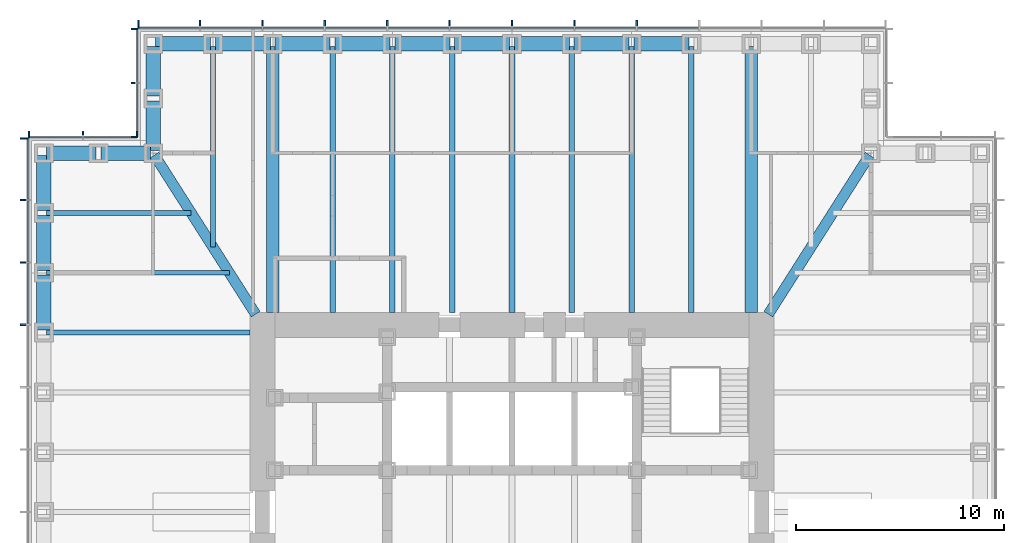
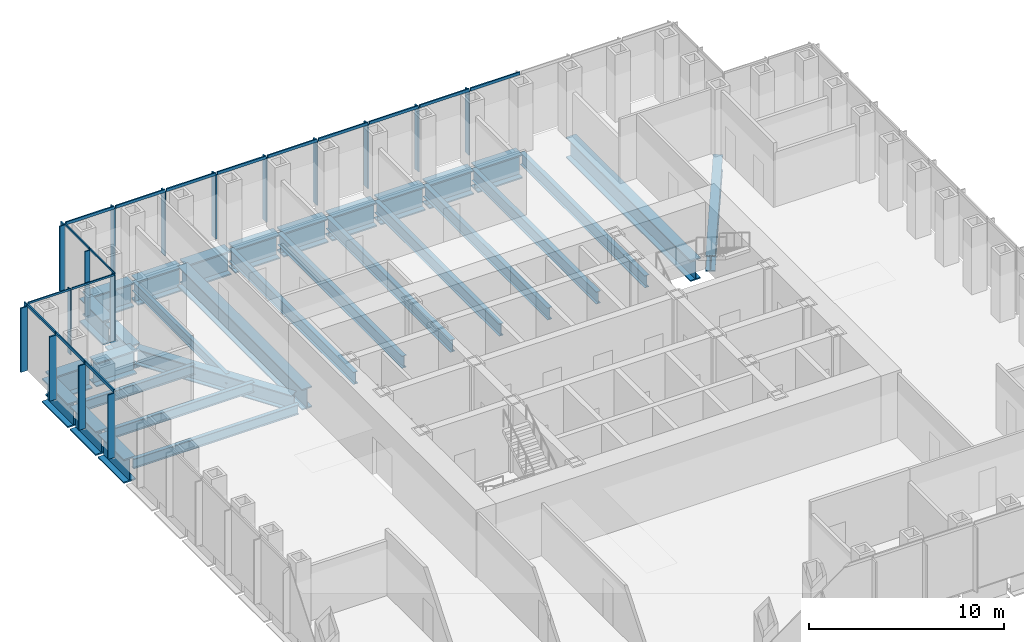
# One storey, part 5 of 17: 35 members, 31 beams, 4 elements without a shape of their own.
"""IFC4 building model written with IfcOpenShell, lengths in metres."""

import ifcopenshell
import ifcopenshell.guid

model = None  # the IFC model being written
_history = None  # IfcOwnerHistory: only IFC2X3 demands one
_inside = {}  # id of a spatial element -> (the spatial element, [elements in it])
_under = {}  # id of a project, library or spatial element -> (it, [spatial elements below it])
_declared = {}  # id of a project -> (the project, [libraries it declares])
_typed = {}  # id of a type object -> (the type object, [elements of that type])
_made_of = {}  # id of a material, layer set ... -> (it, [elements and type objects made of it])


def new_model(schema):
    """Start an empty IFC model of exactly this schema.

    Asked for "IFC4X3", IfcOpenShell would pick the latest addendum, in which some entities
    have other attributes; the version numbers below select the first issue.
    IFC2X3 requires an IfcOwnerHistory on every rooted entity: one is made here for all.
    """
    global model, _history
    if schema == "IFC4X3":
        model = ifcopenshell.file(schema_version=(4, 3, 0, 0))
    else:
        model = ifcopenshell.file(schema=schema)
    _inside.clear()
    _under.clear()
    _declared.clear()
    _typed.clear()
    _made_of.clear()
    _history = None
    if model.schema == "IFC2X3":
        org = make("IfcOrganization", Name="unknown")
        user = make(
            "IfcPersonAndOrganization",
            ThePerson=make("IfcPerson", FamilyName="unknown"),
            TheOrganization=org,
        )
        app = make(
            "IfcApplication",
            ApplicationDeveloper=org,
            Version="unknown",
            ApplicationFullName="unknown",
            ApplicationIdentifier="unknown",
        )
        _history = make(
            "IfcOwnerHistory",
            OwningUser=user,
            OwningApplication=app,
            ChangeAction="ADDED",
            CreationDate=0,
        )
    return model


def make(cls, **values):
    """One entity of the class cls with the attributes given. An attribute that is None is left unset."""
    return model.create_entity(
        cls, **{name: value for name, value in values.items() if value is not None}
    )


def rooted(cls, **values):
    """An entity with a GlobalId (a new one), such as an element, a storey or a relation."""
    return make(cls, GlobalId=ifcopenshell.guid.new(), OwnerHistory=_history, **values)


def si_unit(unit_type, name, prefix=None):
    """IfcSIUnit, for example si_unit("LENGTHUNIT", "METRE", prefix="MILLI")."""
    return make("IfcSIUnit", UnitType=unit_type, Prefix=prefix, Name=name)


def assignment(units):
    """IfcUnitAssignment: the units of a project."""
    return None if units is None else make("IfcUnitAssignment", Units=units)


def point(xyz):
    """IfcCartesianPoint."""
    return None if xyz is None else make("IfcCartesianPoint", Coordinates=xyz)


def direction(xyz):
    """IfcDirection."""
    return None if xyz is None else make("IfcDirection", DirectionRatios=xyz)


def frame(location, z_axis=None, x_axis=None):
    """IfcAxis2Placement3D, a coordinate frame: its origin and axes. An axis left out is left unset."""
    return make(
        "IfcAxis2Placement3D",
        Location=point(location),
        Axis=direction(z_axis),
        RefDirection=direction(x_axis),
    )


def frame_2d(location, x_axis=None):
    """IfcAxis2Placement2D, a coordinate frame in the plane: its origin and x axis."""
    return make(
        "IfcAxis2Placement2D", Location=point(location), RefDirection=direction(x_axis)
    )


def origin():
    """The frame at (0, 0, 0) with its axes left unset."""
    return frame((0.0, 0.0, 0.0))


def origin_2d():
    """The frame at (0, 0) in the plane with its x axis left unset."""
    return frame_2d((0.0, 0.0))


def place(relative_to, where):
    """IfcLocalPlacement: puts the frame where relative to a parent placement (None: the world)."""
    return make(
        "IfcLocalPlacement", PlacementRelTo=relative_to, RelativePlacement=where
    )


def context(
    kind, dimensions, precision=None, world=None, true_north=None, identifier=None
):
    """IfcGeometricRepresentationContext, for example the 3D "Model" context."""
    return make(
        "IfcGeometricRepresentationContext",
        ContextIdentifier=identifier,
        ContextType=kind,
        CoordinateSpaceDimension=dimensions,
        Precision=precision,
        WorldCoordinateSystem=world,
        TrueNorth=true_north,
    )


def subcontext(parent, identifier, kind, view, scale=None):
    """IfcGeometricRepresentationSubContext, for example "Body" below "Model"."""
    return make(
        "IfcGeometricRepresentationSubContext",
        ContextIdentifier=identifier,
        ContextType=kind,
        ParentContext=parent,
        TargetScale=scale,
        TargetView=view,
    )


def project(units=None, contexts=None):
    """IfcProject with its units and contexts."""
    return rooted(
        "IfcProject",
        Name="project",
        RepresentationContexts=contexts,
        UnitsInContext=assignment(units),
    )


def spatial(cls, under=None, at=None, **own):
    """A site, building, storey or space (cls), placed at a placement, below another one or the project."""
    s = rooted(cls, ObjectPlacement=at, **own)
    if under is not None:
        _under.setdefault(under.id(), (under, []))[1].append(s)
    return s


def profile(cls, at=None, kind="AREA", **sizes):
    """A parametric profile (cls). Its sizes go by their IFC names, for example OverallWidth=200.0."""
    return make(cls, ProfileType=kind, Position=at, **sizes)


def rectangle(**sizes):
    """IfcRectangleProfileDef."""
    return profile("IfcRectangleProfileDef", **sizes)


def i_section(**sizes):
    """IfcIShapeProfileDef."""
    return profile("IfcIShapeProfileDef", **sizes)


def extrude(swept, where, along, depth):
    """IfcExtrudedAreaSolid: the profile swept, set in the frame where, extruded along a direction by depth."""
    return make(
        "IfcExtrudedAreaSolid",
        SweptArea=swept,
        Position=where,
        ExtrudedDirection=direction(along),
        Depth=depth,
    )


def shape(context_of_items, identifier, shape_type, items):
    """IfcShapeRepresentation: the items that make up one representation, for example the "Body"."""
    return make(
        "IfcShapeRepresentation",
        ContextOfItems=context_of_items,
        RepresentationIdentifier=identifier,
        RepresentationType=shape_type,
        Items=items,
    )


def material(Name=None, Category=None):
    """IfcMaterial."""
    return make("IfcMaterial", Name=Name, Category=Category)


def material_profile(
    of_material, cross_section, Name=None, Category=None, Priority=None
):
    """IfcMaterialProfile: a cross section and its material."""
    return make(
        "IfcMaterialProfile",
        Name=Name,
        Material=of_material,
        Profile=cross_section,
        Priority=Priority,
        Category=Category,
    )


def profile_set(profiles, Name=None, composite=None):
    """IfcMaterialProfileSet."""
    return make(
        "IfcMaterialProfileSet",
        Name=Name,
        MaterialProfiles=profiles,
        CompositeProfile=composite,
    )


def made_of(thing, what):
    """Note that an element or type object is made of a material, layer set ...; save() writes the relation."""
    if what is not None:
        _made_of.setdefault(what.id(), (what, []))[1].append(thing)
    return thing


def type_object(cls, material=None, **own):
    """A type object (cls), such as IfcWallType, which elements share."""
    return made_of(rooted(cls, **own), material)


def element(
    cls,
    number,
    at=None,
    inside=None,
    cuts=None,
    type_object=None,
    material=None,
    context=None,
    identifier="Body",
    shape_type=None,
    held_by="IfcProductDefinitionShape",
    body=None,
    shapes=None,
    **own,
):
    """One element of the class cls, such as IfcWall. Its Tag is "e" and its number.

    at: its placement. inside: the storey or other place that contains it. cuts: it is an
    opening in that element (IfcRelVoidsElement). A single representation is given by context,
    identifier, shape_type and body (its items); several are given by shapes. held_by: the class
    of the entity that holds the representations. save() writes the other relations.
    """
    e = rooted(cls, Tag="e%d" % number, ObjectPlacement=at, **own)
    if body is not None:
        shapes = [shape(context, identifier, shape_type, body)]
    if shapes is not None:
        e.Representation = make(held_by, Representations=shapes)
    if inside is not None:
        _inside.setdefault(inside.id(), (inside, []))[1].append(e)
    if cuts is not None:
        rooted(
            "IfcRelVoidsElement", RelatingBuildingElement=cuts, RelatedOpeningElement=e
        )
    if type_object is not None:
        _typed.setdefault(type_object.id(), (type_object, []))[1].append(e)
    return made_of(e, material)


def aggregate(whole, parts):
    """IfcRelAggregates: a whole, such as a stair, and the parts it consists of."""
    return rooted("IfcRelAggregates", RelatingObject=whole, RelatedObjects=parts)


def save(model, path):
    """Write the relations noted so far, then the file.

    IfcRelAggregates (storeys below a building ...), IfcRelContainedInSpatialStructure (elements
    in a storey), IfcRelDefinesByType, IfcRelAssociatesMaterial and IfcRelDeclares: one each for
    every whole, place, type object, material and project.
    """
    for whole, parts in _under.values():
        aggregate(whole, parts)
    for where, things in _inside.values():
        rooted(
            "IfcRelContainedInSpatialStructure",
            RelatedElements=things,
            RelatingStructure=where,
        )
    for kind, things in _typed.values():
        rooted("IfcRelDefinesByType", RelatedObjects=things, RelatingType=kind)
    for what, things in _made_of.values():
        rooted("IfcRelAssociatesMaterial", RelatedObjects=things, RelatingMaterial=what)
    for by, libraries in _declared.values():
        rooted("IfcRelDeclares", RelatingContext=by, RelatedDefinitions=libraries)
    model.write(path)


model = new_model("IFC4")

# Units and contexts
model_context = context("Model", 3, precision=1e-05, world=origin(), true_north=direction((0.0, 1.0)))
body_context = subcontext(model_context, "Body", "Model", "MODEL_VIEW")
ifc_project = project(units=[si_unit("LENGTHUNIT", "METRE"), si_unit("AREAUNIT", "SQUARE_METRE"), si_unit("VOLUMEUNIT", "CUBIC_METRE"), si_unit("PLANEANGLEUNIT", "RADIAN"), si_unit("MASSUNIT", "GRAM", prefix="KILO")], contexts=[model_context])

# Site, building, storey
site_placement = place(None, origin())
site = spatial("IfcSite", under=ifc_project, at=site_placement, CompositionType="ELEMENT")
building_placement = place(site_placement, origin())
building = spatial("IfcBuilding", under=site, at=building_placement, Name="Daluyong Arena Tower", CompositionType="ELEMENT")
storey_placement = place(building_placement, frame((0.0, 0.0, 129.10009765625)))
storey = spatial("IfcBuildingStorey", under=building, at=storey_placement, Name="L28", CompositionType="ELEMENT", Elevation=129.10009765625)

# Curtain wall, members
ifc_material_1 = material(Name="Bronze anodised aluminium and glass", Category="aluminium")
curtain_wall_type_1 = type_object("IfcCurtainWallType", Name="Curtain wall CW2", PredefinedType="USERDEFINED", material=ifc_material_1)
curtain_wall_1_placement = place(storey_placement, origin())
curtain_wall_1 = element("IfcCurtainWall", 1, at=curtain_wall_1_placement, inside=storey, type_object=curtain_wall_type_1, Name="curtain wall L28 N", ObjectType="UNITISED CURTAIN WALL", PredefinedType="USERDEFINED")
ifc_material_2 = material(Name="Bronze anodised aluminium fin", Category="aluminium")
ifc_material_profile_1 = material_profile(ifc_material_2, rectangle(XDim=0.39990234375, YDim=0.080078125, at=origin_2d()))
ifc_profile_set_1 = profile_set([ifc_material_profile_1], Name="Bronze anodised aluminium fin")
member_type_1 = type_object("IfcMemberType", Name="CW2 bronze fin 400x80", PredefinedType="MULLION", material=ifc_profile_set_1)
member_1_placement = place(storey_placement, frame((62.0, 103.449951171875, 0.0), z_axis=(0.0, 0.0, 1.0), x_axis=(0.0, -1.0, 0.0)))
member_1 = element("IfcMember", 2, at=member_1_placement, type_object=member_type_1, Name="curtain wall L28 N fin 5", PredefinedType="MULLION", context=body_context, shape_type="SweptSolid", body=[
    extrude(rectangle(XDim=0.39990234375, YDim=0.080078125, at=origin_2d()), origin(), (0.0, 0.0, 1.0), 4.02001953125),
])
member_2_placement = place(storey_placement, frame((59.0, 103.449951171875, 0.0), z_axis=(0.0, 0.0, 1.0), x_axis=(0.0, -1.0, 0.0)))
member_2 = element("IfcMember", 3, at=member_2_placement, type_object=member_type_1, Name="curtain wall L28 N fin 6", PredefinedType="MULLION", context=body_context, shape_type="SweptSolid", body=[
    extrude(rectangle(XDim=0.39990234375, YDim=0.080078125, at=origin_2d()), origin(), (0.0, 0.0, 1.0), 4.02001953125),
])
member_3_placement = place(storey_placement, frame((56.0, 103.449951171875, 0.0), z_axis=(0.0, 0.0, 1.0), x_axis=(0.0, -1.0, 0.0)))
member_3 = element("IfcMember", 4, at=member_3_placement, type_object=member_type_1, Name="curtain wall L28 N fin 7", PredefinedType="MULLION", context=body_context, shape_type="SweptSolid", body=[
    extrude(rectangle(XDim=0.39990234375, YDim=0.080078125, at=origin_2d()), origin(), (0.0, 0.0, 1.0), 4.02001953125),
])
member_4_placement = place(storey_placement, frame((53.0, 103.449951171875, 0.0), z_axis=(0.0, 0.0, 1.0), x_axis=(0.0, -1.0, 0.0)))
member_4 = element("IfcMember", 5, at=member_4_placement, type_object=member_type_1, Name="curtain wall L28 N fin 8", PredefinedType="MULLION", context=body_context, shape_type="SweptSolid", body=[
    extrude(rectangle(XDim=0.39990234375, YDim=0.080078125, at=origin_2d()), origin(), (0.0, 0.0, 1.0), 4.02001953125),
])
member_5_placement = place(storey_placement, frame((50.0, 103.449951171875, 0.0), z_axis=(0.0, 0.0, 1.0), x_axis=(0.0, -1.0, 0.0)))
member_5 = element("IfcMember", 6, at=member_5_placement, type_object=member_type_1, Name="curtain wall L28 N fin 9", PredefinedType="MULLION", context=body_context, shape_type="SweptSolid", body=[
    extrude(rectangle(XDim=0.39990234375, YDim=0.080078125, at=origin_2d()), origin(), (0.0, 0.0, 1.0), 4.02001953125),
])
member_6_placement = place(storey_placement, frame((47.0, 103.449951171875, 0.0), z_axis=(0.0, 0.0, 1.0), x_axis=(0.0, -1.0, 0.0)))
member_6 = element("IfcMember", 7, at=member_6_placement, type_object=member_type_1, Name="curtain wall L28 N fin 10", PredefinedType="MULLION", context=body_context, shape_type="SweptSolid", body=[
    extrude(rectangle(XDim=0.39990234375, YDim=0.080078125, at=origin_2d()), origin(), (0.0, 0.0, 1.0), 4.02001953125),
])
member_7_placement = place(storey_placement, frame((44.0, 103.449951171875, 0.0), z_axis=(0.0, 0.0, 1.0), x_axis=(0.0, -1.0, 0.0)))
member_7 = element("IfcMember", 8, at=member_7_placement, type_object=member_type_1, Name="curtain wall L28 N fin 11", PredefinedType="MULLION", context=body_context, shape_type="SweptSolid", body=[
    extrude(rectangle(XDim=0.39990234375, YDim=0.080078125, at=origin_2d()), origin(), (0.0, 0.0, 1.0), 4.02001953125),
])
member_8_placement = place(storey_placement, frame((41.0, 103.449951171875, 0.0), z_axis=(0.0, 0.0, 1.0), x_axis=(0.0, -1.0, 0.0)))
member_8 = element("IfcMember", 9, at=member_8_placement, type_object=member_type_1, Name="curtain wall L28 N fin 12", PredefinedType="MULLION", context=body_context, shape_type="SweptSolid", body=[
    extrude(rectangle(XDim=0.39990234375, YDim=0.080078125, at=origin_2d()), origin(), (0.0, 0.0, 1.0), 4.02001953125),
])
member_9_placement = place(storey_placement, frame((38.0400390625, 103.449951171875, 0.0), z_axis=(0.0, 0.0, 1.0), x_axis=(0.0, -1.0, 0.0)))
member_9 = element("IfcMember", 10, at=member_9_placement, type_object=member_type_1, Name="curtain wall L28 N fin 13", PredefinedType="MULLION", context=body_context, shape_type="SweptSolid", body=[
    extrude(rectangle(XDim=0.39990234375, YDim=0.080078125, at=origin_2d()), origin(), (0.0, 0.0, 1.0), 4.02001953125),
])

curtain_wall_2_placement = place(storey_placement, origin())
curtain_wall_2 = element("IfcCurtainWall", 11, at=curtain_wall_2_placement, inside=storey, type_object=curtain_wall_type_1, Name="curtain wall L28 W", ObjectType="UNITISED CURTAIN WALL", PredefinedType="USERDEFINED")
member_10_placement = place(storey_placement, frame((32.550048828125, 97.9599609375, 0.0), z_axis=(0.0, 0.0, 1.0), x_axis=(1.0, 0.0, 0.0)))
member_10 = element("IfcMember", 12, at=member_10_placement, type_object=member_type_1, Name="curtain wall L28 W fin 1", PredefinedType="MULLION", context=body_context, shape_type="SweptSolid", body=[
    extrude(rectangle(XDim=0.39990234375, YDim=0.080078125, at=origin_2d()), origin(), (0.0, 0.0, 1.0), 4.02001953125),
])
member_11_placement = place(storey_placement, frame((32.550048828125, 95.0, 0.0), z_axis=(0.0, 0.0, 1.0), x_axis=(1.0, 0.0, 0.0)))
member_11 = element("IfcMember", 13, at=member_11_placement, type_object=member_type_1, Name="curtain wall L28 W fin 2", PredefinedType="MULLION", context=body_context, shape_type="SweptSolid", body=[
    extrude(rectangle(XDim=0.39990234375, YDim=0.080078125, at=origin_2d()), origin(), (0.0, 0.0, 1.0), 4.02001953125),
])
member_12_placement = place(storey_placement, frame((32.550048828125, 92.0, 0.0), z_axis=(0.0, 0.0, 1.0), x_axis=(1.0, 0.0, 0.0)))
member_12 = element("IfcMember", 14, at=member_12_placement, type_object=member_type_1, Name="curtain wall L28 W fin 3", PredefinedType="MULLION", context=body_context, shape_type="SweptSolid", body=[
    extrude(rectangle(XDim=0.39990234375, YDim=0.080078125, at=origin_2d()), origin(), (0.0, 0.0, 1.0), 4.02001953125),
])
member_13_placement = place(storey_placement, frame((32.550048828125, 89.0, 0.0), z_axis=(0.0, 0.0, 1.0), x_axis=(1.0, 0.0, 0.0)))
member_13 = element("IfcMember", 15, at=member_13_placement, type_object=member_type_1, Name="curtain wall L28 W fin 4", PredefinedType="MULLION", context=body_context, shape_type="SweptSolid", body=[
    extrude(rectangle(XDim=0.39990234375, YDim=0.080078125, at=origin_2d()), origin(), (0.0, 0.0, 1.0), 4.02001953125),
])

# Member
ifc_material_3 = material(Name="Bronze anodised aluminium", Category="aluminium")
ifc_material_profile_2 = material_profile(ifc_material_3, rectangle(XDim=0.080078125, YDim=0.179931640625, at=origin_2d()))
ifc_profile_set_2 = profile_set([ifc_material_profile_2], Name="Bronze anodised aluminium")
member_type_2 = type_object("IfcMemberType", Name="CW2 stack transom 180x80", PredefinedType="USERDEFINED", material=ifc_profile_set_2)
member_14_placement = place(storey_placement, frame((64.9599609375, 103.25, 4.10986328125), z_axis=(-1.0, 0.0, 0.0), x_axis=(0.0, -1.0, 0.0)))
member_14 = element("IfcMember", 16, at=member_14_placement, type_object=member_type_2, Name="curtain wall L28 N transom 4", ObjectType="TRANSOM", PredefinedType="USERDEFINED", context=body_context, shape_type="SweptSolid", body=[
    extrude(rectangle(XDim=0.080078125, YDim=0.179931640625, at=origin_2d()), origin(), (0.0, 0.0, 1.0), 2.919921875),
])

member_15_placement = place(storey_placement, frame((61.9599609375, 103.25, 4.10986328125), z_axis=(-1.0, 0.0, 0.0), x_axis=(0.0, -1.0, 0.0)))
member_15 = element("IfcMember", 17, at=member_15_placement, type_object=member_type_2, Name="curtain wall L28 N transom 5", ObjectType="TRANSOM", PredefinedType="USERDEFINED", context=body_context, shape_type="SweptSolid", body=[
    extrude(rectangle(XDim=0.080078125, YDim=0.179931640625, at=origin_2d()), origin(), (0.0, 0.0, 1.0), 2.919921875),
])

member_16_placement = place(storey_placement, frame((58.9599609375, 103.25, 4.10986328125), z_axis=(-1.0, 0.0, 0.0), x_axis=(0.0, -1.0, 0.0)))
member_16 = element("IfcMember", 18, at=member_16_placement, type_object=member_type_2, Name="curtain wall L28 N transom 6", ObjectType="TRANSOM", PredefinedType="USERDEFINED", context=body_context, shape_type="SweptSolid", body=[
    extrude(rectangle(XDim=0.080078125, YDim=0.179931640625, at=origin_2d()), origin(), (0.0, 0.0, 1.0), 2.919921875),
])

member_17_placement = place(storey_placement, frame((55.9599609375, 103.25, 4.10986328125), z_axis=(-1.0, 0.0, 0.0), x_axis=(0.0, -1.0, 0.0)))
member_17 = element("IfcMember", 19, at=member_17_placement, type_object=member_type_2, Name="curtain wall L28 N transom 7", ObjectType="TRANSOM", PredefinedType="USERDEFINED", context=body_context, shape_type="SweptSolid", body=[
    extrude(rectangle(XDim=0.080078125, YDim=0.179931640625, at=origin_2d()), origin(), (0.0, 0.0, 1.0), 2.919921875),
])

member_18_placement = place(storey_placement, frame((52.9599609375, 103.25, 4.10986328125), z_axis=(-1.0, 0.0, 0.0), x_axis=(0.0, -1.0, 0.0)))
member_18 = element("IfcMember", 20, at=member_18_placement, type_object=member_type_2, Name="curtain wall L28 N transom 8", ObjectType="TRANSOM", PredefinedType="USERDEFINED", context=body_context, shape_type="SweptSolid", body=[
    extrude(rectangle(XDim=0.080078125, YDim=0.179931640625, at=origin_2d()), origin(), (0.0, 0.0, 1.0), 2.919921875),
])

member_19_placement = place(storey_placement, frame((49.9599609375, 103.25, 4.10986328125), z_axis=(-1.0, 0.0, 0.0), x_axis=(0.0, -1.0, 0.0)))
member_19 = element("IfcMember", 21, at=member_19_placement, type_object=member_type_2, Name="curtain wall L28 N transom 9", ObjectType="TRANSOM", PredefinedType="USERDEFINED", context=body_context, shape_type="SweptSolid", body=[
    extrude(rectangle(XDim=0.080078125, YDim=0.179931640625, at=origin_2d()), origin(), (0.0, 0.0, 1.0), 2.919921875),
])

member_20_placement = place(storey_placement, frame((46.9599609375, 103.25, 4.10986328125), z_axis=(-1.0, 0.0, 0.0), x_axis=(0.0, -1.0, 0.0)))
member_20 = element("IfcMember", 22, at=member_20_placement, type_object=member_type_2, Name="curtain wall L28 N transom 10", ObjectType="TRANSOM", PredefinedType="USERDEFINED", context=body_context, shape_type="SweptSolid", body=[
    extrude(rectangle(XDim=0.080078125, YDim=0.179931640625, at=origin_2d()), origin(), (0.0, 0.0, 1.0), 2.919921875),
])

member_21_placement = place(storey_placement, frame((43.9599609375, 103.25, 4.10986328125), z_axis=(-1.0, 0.0, 0.0), x_axis=(0.0, -1.0, 0.0)))
member_21 = element("IfcMember", 23, at=member_21_placement, type_object=member_type_2, Name="curtain wall L28 N transom 11", ObjectType="TRANSOM", PredefinedType="USERDEFINED", context=body_context, shape_type="SweptSolid", body=[
    extrude(rectangle(XDim=0.080078125, YDim=0.179931640625, at=origin_2d()), origin(), (0.0, 0.0, 1.0), 2.919921875),
])

member_22_placement = place(storey_placement, frame((40.9599609375, 103.25, 4.10986328125), z_axis=(-1.0, 0.0, 0.0), x_axis=(0.0, -1.0, 0.0)))
member_22 = element("IfcMember", 24, at=member_22_placement, type_object=member_type_2, Name="curtain wall L28 N transom 12", ObjectType="TRANSOM", PredefinedType="USERDEFINED", context=body_context, shape_type="SweptSolid", body=[
    extrude(rectangle(XDim=0.080078125, YDim=0.179931640625, at=origin_2d()), origin(), (0.0, 0.0, 1.0), 2.8798828125),
])

aggregate(curtain_wall_1, [member_1, member_2, member_3, member_4, member_5, member_6, member_7, member_8, member_9, member_14, member_15, member_16, member_17, member_18, member_19, member_20, member_21, member_22])

member_23_placement = place(storey_placement, frame((32.75, 97.919921875, 4.10986328125), z_axis=(0.0, -1.0, 0.0), x_axis=(1.0, 0.0, 0.0)))
member_23 = element("IfcMember", 25, at=member_23_placement, type_object=member_type_2, Name="curtain wall L28 W transom 1", ObjectType="TRANSOM", PredefinedType="USERDEFINED", context=body_context, shape_type="SweptSolid", body=[
    extrude(rectangle(XDim=0.080078125, YDim=0.179931640625, at=origin_2d()), origin(), (0.0, 0.0, 1.0), 2.8798828125),
])

member_24_placement = place(storey_placement, frame((32.75, 94.9599609375, 4.10986328125), z_axis=(0.0, -1.0, 0.0), x_axis=(1.0, 0.0, 0.0)))
member_24 = element("IfcMember", 26, at=member_24_placement, type_object=member_type_2, Name="curtain wall L28 W transom 2", ObjectType="TRANSOM", PredefinedType="USERDEFINED", context=body_context, shape_type="SweptSolid", body=[
    extrude(rectangle(XDim=0.080078125, YDim=0.179931640625, at=origin_2d()), origin(), (0.0, 0.0, 1.0), 2.919921875),
])

member_25_placement = place(storey_placement, frame((32.75, 91.9599609375, 4.10986328125), z_axis=(0.0, -1.0, 0.0), x_axis=(1.0, 0.0, 0.0)))
member_25 = element("IfcMember", 27, at=member_25_placement, type_object=member_type_2, Name="curtain wall L28 W transom 3", ObjectType="TRANSOM", PredefinedType="USERDEFINED", context=body_context, shape_type="SweptSolid", body=[
    extrude(rectangle(XDim=0.080078125, YDim=0.179931640625, at=origin_2d()), origin(), (0.0, 0.0, 1.0), 2.919921875),
])

aggregate(curtain_wall_2, [member_10, member_11, member_12, member_13, member_23, member_24, member_25])

# Curtain wall, members
ifc_material_4 = material(Name="Bronze anodised aluminium and glass", Category="aluminium")
curtain_wall_type_2 = type_object("IfcCurtainWallType", Name="Curtain wall CW7", PredefinedType="USERDEFINED", material=ifc_material_4)
curtain_wall_3_placement = place(storey_placement, origin())
curtain_wall_3 = element("IfcCurtainWall", 28, at=curtain_wall_3_placement, inside=storey, type_object=curtain_wall_type_2, Name="curtain wall L28 NW-W", ObjectType="UNITISED CURTAIN WALL", PredefinedType="USERDEFINED")
ifc_material_5 = material(Name="Bronze anodised aluminium fin", Category="aluminium")
ifc_material_profile_3 = material_profile(ifc_material_5, rectangle(XDim=0.300048828125, YDim=0.06005859375, at=origin_2d()))
ifc_profile_set_3 = profile_set([ifc_material_profile_3], Name="Bronze anodised aluminium fin")
member_type_3 = type_object("IfcMemberType", Name="CW7 bronze fin 300x60", PredefinedType="MULLION", material=ifc_profile_set_3)
member_26_placement = place(storey_placement, frame((37.85009765625, 103.219970703125, 0.0), z_axis=(0.0, 0.0, 1.0), x_axis=(1.0, 0.0, 0.0)))
member_26 = element("IfcMember", 29, at=member_26_placement, type_object=member_type_3, Name="curtain wall L28 NW-W fin 1", PredefinedType="MULLION", context=body_context, shape_type="SweptSolid", body=[
    extrude(rectangle(XDim=0.300048828125, YDim=0.06005859375, at=origin_2d()), origin(), (0.0, 0.0, 1.0), 4.079833984375),
])
member_27_placement = place(storey_placement, frame((37.85009765625, 100.625, 0.0), z_axis=(0.0, 0.0, 1.0), x_axis=(1.0, 0.0, 0.0)))
member_27 = element("IfcMember", 30, at=member_27_placement, type_object=member_type_3, Name="curtain wall L28 NW-W fin 2", PredefinedType="MULLION", context=body_context, shape_type="SweptSolid", body=[
    extrude(rectangle(XDim=0.300048828125, YDim=0.06005859375, at=origin_2d()), origin(), (0.0, 0.0, 1.0), 4.079833984375),
])
member_28_placement = place(storey_placement, frame((37.85009765625, 98.030029296875, 0.0), z_axis=(0.0, 0.0, 1.0), x_axis=(1.0, 0.0, 0.0)))
member_28 = element("IfcMember", 31, at=member_28_placement, type_object=member_type_3, Name="curtain wall L28 NW-W fin 3", PredefinedType="MULLION", context=body_context, shape_type="SweptSolid", body=[
    extrude(rectangle(XDim=0.300048828125, YDim=0.06005859375, at=origin_2d()), origin(), (0.0, 0.0, 1.0), 4.079833984375),
])

curtain_wall_4_placement = place(storey_placement, origin())
curtain_wall_4 = element("IfcCurtainWall", 32, at=curtain_wall_4_placement, inside=storey, type_object=curtain_wall_type_2, Name="curtain wall L28 NW-N", ObjectType="UNITISED CURTAIN WALL", PredefinedType="USERDEFINED")
member_29_placement = place(storey_placement, frame((37.969970703125, 98.14990234375, 0.0), z_axis=(0.0, 0.0, 1.0), x_axis=(0.0, -1.0, 0.0)))
member_29 = element("IfcMember", 33, at=member_29_placement, type_object=member_type_3, Name="curtain wall L28 NW-N fin 1", PredefinedType="MULLION", context=body_context, shape_type="SweptSolid", body=[
    extrude(rectangle(XDim=0.300048828125, YDim=0.06005859375, at=origin_2d()), origin(), (0.0, 0.0, 1.0), 4.079833984375),
])
member_30_placement = place(storey_placement, frame((35.375, 98.14990234375, 0.0), z_axis=(0.0, 0.0, 1.0), x_axis=(0.0, -1.0, 0.0)))
member_30 = element("IfcMember", 34, at=member_30_placement, type_object=member_type_3, Name="curtain wall L28 NW-N fin 2", PredefinedType="MULLION", context=body_context, shape_type="SweptSolid", body=[
    extrude(rectangle(XDim=0.300048828125, YDim=0.06005859375, at=origin_2d()), origin(), (0.0, 0.0, 1.0), 4.079833984375),
])
member_31_placement = place(storey_placement, frame((32.780029296875, 98.14990234375, 0.0), z_axis=(0.0, 0.0, 1.0), x_axis=(0.0, -1.0, 0.0)))
member_31 = element("IfcMember", 35, at=member_31_placement, type_object=member_type_3, Name="curtain wall L28 NW-N fin 3", PredefinedType="MULLION", context=body_context, shape_type="SweptSolid", body=[
    extrude(rectangle(XDim=0.300048828125, YDim=0.06005859375, at=origin_2d()), origin(), (0.0, 0.0, 1.0), 4.079833984375),
])

# Member
ifc_material_6 = material(Name="Bronze anodised aluminium", Category="aluminium")
ifc_material_profile_4 = material_profile(ifc_material_6, rectangle(XDim=0.06005859375, YDim=0.1201171875, at=origin_2d()))
ifc_profile_set_4 = profile_set([ifc_material_profile_4], Name="Bronze anodised aluminium")
member_type_4 = type_object("IfcMemberType", Name="CW7 stack transom 120x60", PredefinedType="USERDEFINED", material=ifc_profile_set_4)
member_32_placement = place(storey_placement, frame((38.0, 103.18994140625, 4.139892578125), z_axis=(0.0, -1.0, 0.0), x_axis=(1.0, 0.0, 0.0)))
member_32 = element("IfcMember", 36, at=member_32_placement, type_object=member_type_4, Name="curtain wall L28 NW-W transom 1", ObjectType="TRANSOM", PredefinedType="USERDEFINED", context=body_context, shape_type="SweptSolid", body=[
    extrude(rectangle(XDim=0.06005859375, YDim=0.1201171875, at=origin_2d()), origin(), (0.0, 0.0, 1.0), 2.534912109375),
])

member_33_placement = place(storey_placement, frame((38.0, 100.594970703125, 4.139892578125), z_axis=(0.0, -1.0, 0.0), x_axis=(1.0, 0.0, 0.0)))
member_33 = element("IfcMember", 37, at=member_33_placement, type_object=member_type_4, Name="curtain wall L28 NW-W transom 2", ObjectType="TRANSOM", PredefinedType="USERDEFINED", context=body_context, shape_type="SweptSolid", body=[
    extrude(rectangle(XDim=0.06005859375, YDim=0.1201171875, at=origin_2d()), origin(), (0.0, 0.0, 1.0), 2.534912109375),
])

aggregate(curtain_wall_3, [member_26, member_27, member_28, member_32, member_33])

member_34_placement = place(storey_placement, frame((37.93994140625, 98.0, 4.139892578125), z_axis=(-1.0, 0.0, 0.0), x_axis=(0.0, -1.0, 0.0)))
member_34 = element("IfcMember", 38, at=member_34_placement, type_object=member_type_4, Name="curtain wall L28 NW-N transom 1", ObjectType="TRANSOM", PredefinedType="USERDEFINED", context=body_context, shape_type="SweptSolid", body=[
    extrude(rectangle(XDim=0.06005859375, YDim=0.1201171875, at=origin_2d()), origin(), (0.0, 0.0, 1.0), 2.534912109375),
])

member_35_placement = place(storey_placement, frame((35.344970703125, 98.0, 4.139892578125), z_axis=(-1.0, 0.0, 0.0), x_axis=(0.0, -1.0, 0.0)))
member_35 = element("IfcMember", 39, at=member_35_placement, type_object=member_type_4, Name="curtain wall L28 NW-N transom 2", ObjectType="TRANSOM", PredefinedType="USERDEFINED", context=body_context, shape_type="SweptSolid", body=[
    extrude(rectangle(XDim=0.06005859375, YDim=0.1201171875, at=origin_2d()), origin(), (0.0, 0.0, 1.0), 2.534912109375),
])

aggregate(curtain_wall_4, [member_29, member_30, member_31, member_34, member_35])

# Beams
ifc_material_7 = material(Name="Steel ASTM A572 Grade 50", Category="steel")
ifc_material_profile_5 = material_profile(ifc_material_7, i_section(OverallWidth=0.5, OverallDepth=1.0, WebThickness=0.03, FlangeThickness=0.06, at=origin_2d()))
ifc_profile_set_5 = profile_set([ifc_material_profile_5], Name="Steel ASTM A572 Grade 50")
beam_type_1 = type_object("IfcBeamType", Name="Corner girder TB1000X500", PredefinedType="BEAM", material=ifc_profile_set_5)
for number, where, z_axis, x_axis, name in (
    (40, (73.188232421875, 97.153076171875, -0.66015625), (-0.536872006459, -0.843663705916, 0.0), (0.843663705916, -0.536872006459, 0.0), "corner girder DG2"),
    (41, (38.811767578125, 97.153076171875, -0.66015625), (0.536872006459, -0.843663705916, 0.0), (0.843663705916, 0.536872006459, 0.0), "corner girder DG2"),
):
    element("IfcBeam", number, at=place(storey_placement, frame(where, z_axis=z_axis, x_axis=x_axis)), inside=storey, type_object=beam_type_1, Name=name, PredefinedType="BEAM", context=body_context, shape_type="SweptSolid", body=[
        extrude(i_section(OverallWidth=0.5, OverallDepth=1.0, WebThickness=0.03, FlangeThickness=0.06, at=origin_2d()), origin(), (0.0, 0.0, 1.0), 9.06396484375),
    ])
ifc_material_8 = material(Name="Steel ASTM A572 Grade 50", Category="steel")
ifc_material_profile_6 = material_profile(ifc_material_8, i_section(OverallWidth=0.60009765625, OverallDepth=1.300048828125, WebThickness=0.035, FlangeThickness=0.07, at=origin_2d()))
ifc_profile_set_6 = profile_set([ifc_material_profile_6], Name="Steel ASTM A572 Grade 50")
beam_type_2 = type_object("IfcBeamType", Name="Floor beam TB1300X600", PredefinedType="BEAM", material=ifc_profile_set_6)
for number, where, z_axis, x_axis, name in (
    (42, (67.5, 102.385009765625, -0.81005859375), (0.0, -1.0, 0.0), (1.0, 0.0, 0.0), "floor beam FB7"),
    (43, (44.5, 102.385009765625, -0.81005859375), (0.0, -1.0, 0.0), (1.0, 0.0, 0.0), "floor beam FB7"),
):
    element("IfcBeam", number, at=place(storey_placement, frame(where, z_axis=z_axis, x_axis=x_axis)), inside=storey, type_object=beam_type_2, Name=name, PredefinedType="BEAM", context=body_context, shape_type="SweptSolid", body=[
        extrude(i_section(OverallWidth=0.60009765625, OverallDepth=1.300048828125, WebThickness=0.035, FlangeThickness=0.07, at=origin_2d()), origin(), (0.0, 0.0, 1.0), 12.784912109375),
    ])
ifc_material_9 = material(Name="Steel ASTM A992 Grade 50", Category="steel")
ifc_material_profile_7 = material_profile(ifc_material_9, i_section(OverallWidth=0.22900390625, OverallDepth=0.612060546875, WebThickness=0.011962890625, FlangeThickness=0.01953125, at=origin_2d()))
ifc_profile_set_7 = profile_set([ifc_material_profile_7], Name="Steel ASTM A992 Grade 50")
beam_type_3 = type_object("IfcBeamType", Name="Floor beam W24X84", PredefinedType="BEAM", material=ifc_profile_set_7)
beam_1_placement = place(storey_placement, frame((41.625, 102.385009765625, -0.466064453125), z_axis=(0.0, -1.0, 0.0), x_axis=(1.0, 0.0, 0.0)))
element("IfcBeam", 44, at=beam_1_placement, inside=storey, type_object=beam_type_3, Name="floor beam FB3", PredefinedType="BEAM", context=body_context, shape_type="SweptSolid", body=[
    extrude(i_section(OverallWidth=0.22900390625, OverallDepth=0.612060546875, WebThickness=0.011962890625, FlangeThickness=0.01953125, at=origin_2d()), origin(), (0.0, 0.0, 1.0), 9.65283203125),
])
beam_2_placement = place(storey_placement, frame((33.614990234375, 94.375, -0.466064453125), z_axis=(1.0, 0.0, 0.0), x_axis=(0.0, 1.0, 0.0)))
element("IfcBeam", 45, at=beam_2_placement, inside=storey, type_object=beam_type_3, Name="floor beam FB3", PredefinedType="BEAM", context=body_context, shape_type="SweptSolid", body=[
    extrude(i_section(OverallWidth=0.22900390625, OverallDepth=0.612060546875, WebThickness=0.011962890625, FlangeThickness=0.01953125, at=origin_2d()), origin(), (0.0, 0.0, 1.0), 6.964599609375),
])
beam_3_placement = place(storey_placement, frame((33.614990234375, 91.5, -0.466064453125), z_axis=(1.0, 0.0, 0.0), x_axis=(0.0, 1.0, 0.0)))
element("IfcBeam", 46, at=beam_3_placement, inside=storey, type_object=beam_type_3, Name="floor beam FB3", PredefinedType="BEAM", context=body_context, shape_type="SweptSolid", body=[
    extrude(i_section(OverallWidth=0.22900390625, OverallDepth=0.612060546875, WebThickness=0.011962890625, FlangeThickness=0.01953125, at=origin_2d()), origin(), (0.0, 0.0, 1.0), 8.794189453125),
])
beam_4_placement = place(storey_placement, frame((33.614990234375, 88.625, -0.466064453125), z_axis=(1.0, 0.0, 0.0), x_axis=(0.0, 1.0, 0.0)))
element("IfcBeam", 47, at=beam_4_placement, inside=storey, type_object=beam_type_3, Name="floor beam FB3", PredefinedType="BEAM", context=body_context, shape_type="SweptSolid", body=[
    extrude(i_section(OverallWidth=0.22900390625, OverallDepth=0.612060546875, WebThickness=0.011962890625, FlangeThickness=0.01953125, at=origin_2d()), origin(), (0.0, 0.0, 1.0), 9.784912109375),
])
ifc_material_10 = material(Name="Steel ASTM A992 Grade 50", Category="steel")
ifc_material_profile_8 = material_profile(ifc_material_10, i_section(OverallWidth=0.2666015625, OverallDepth=0.761962890625, WebThickness=0.014404296875, FlangeThickness=0.021484375, at=origin_2d()))
ifc_profile_set_8 = profile_set([ifc_material_profile_8], Name="Steel ASTM A992 Grade 50")
beam_type_4 = type_object("IfcBeamType", Name="Floor beam W30X116", PredefinedType="BEAM", material=ifc_profile_set_8)
for number, where, z_axis, x_axis, name in (
    (48, (64.625, 102.385009765625, -0.541015625), (0.0, -1.0, 0.0), (1.0, 0.0, 0.0), "floor beam FB4"),
    (49, (61.75, 102.385009765625, -0.541015625), (0.0, -1.0, 0.0), (1.0, 0.0, 0.0), "floor beam FB4"),
    (50, (58.875, 102.385009765625, -0.541015625), (0.0, -1.0, 0.0), (1.0, 0.0, 0.0), "floor beam FB4"),
    (51, (56.0, 102.385009765625, -0.541015625), (0.0, -1.0, 0.0), (1.0, 0.0, 0.0), "floor beam FB4"),
    (52, (53.125, 102.385009765625, -0.541015625), (0.0, -1.0, 0.0), (1.0, 0.0, 0.0), "floor beam FB4"),
    (53, (50.25, 102.385009765625, -0.541015625), (0.0, -1.0, 0.0), (1.0, 0.0, 0.0), "floor beam FB4"),
    (54, (47.375, 102.385009765625, -0.541015625), (0.0, -1.0, 0.0), (1.0, 0.0, 0.0), "floor beam FB4"),
):
    element("IfcBeam", number, at=place(storey_placement, frame(where, z_axis=z_axis, x_axis=x_axis)), inside=storey, type_object=beam_type_4, Name=name, PredefinedType="BEAM", context=body_context, shape_type="SweptSolid", body=[
        extrude(i_section(OverallWidth=0.2666015625, OverallDepth=0.761962890625, WebThickness=0.014404296875, FlangeThickness=0.021484375, at=origin_2d()), origin(), (0.0, 0.0, 1.0), 12.784912109375),
    ])
ifc_material_11 = material(Name="Steel ASTM A572 Grade 50", Category="steel")
ifc_material_profile_9 = material_profile(ifc_material_11, i_section(OverallWidth=0.699951171875, OverallDepth=1.5, WebThickness=0.04, FlangeThickness=0.08, at=origin_2d()))
ifc_profile_set_9 = profile_set([ifc_material_profile_9], Name="Steel ASTM A572 Grade 50")
beam_type_5 = type_object("IfcBeamType", Name="Spandrel Z2 PG1500X700", PredefinedType="SPANDREL", material=ifc_profile_set_9)
for number, where, z_axis, x_axis, name in (
    (55, (64.510009765625, 102.5, -0.91015625), (-1.0, 0.0, 0.0), (0.0, -1.0, 0.0), "spandrel z2 SB6"),
    (56, (61.635009765625, 102.5, -0.91015625), (-1.0, 0.0, 0.0), (0.0, -1.0, 0.0), "spandrel z2 SB6"),
    (57, (58.760009765625, 102.5, -0.91015625), (-1.0, 0.0, 0.0), (0.0, -1.0, 0.0), "spandrel z2 SB6"),
    (58, (55.885009765625, 102.5, -0.91015625), (-1.0, 0.0, 0.0), (0.0, -1.0, 0.0), "spandrel z2 SB6"),
    (59, (53.010009765625, 102.5, -0.91015625), (-1.0, 0.0, 0.0), (0.0, -1.0, 0.0), "spandrel z2 SB6"),
    (60, (50.135009765625, 102.5, -0.91015625), (-1.0, 0.0, 0.0), (0.0, -1.0, 0.0), "spandrel z2 SB6"),
    (61, (47.260009765625, 102.5, -0.91015625), (-1.0, 0.0, 0.0), (0.0, -1.0, 0.0), "spandrel z2 SB6"),
    (62, (44.385009765625, 102.5, -0.91015625), (-1.0, 0.0, 0.0), (0.0, -1.0, 0.0), "spandrel z2 SB6"),
    (63, (41.510009765625, 102.5, -0.91015625), (-1.0, 0.0, 0.0), (0.0, -1.0, 0.0), "spandrel z2 SB6"),
):
    element("IfcBeam", number, at=place(storey_placement, frame(where, z_axis=z_axis, x_axis=x_axis)), inside=storey, type_object=beam_type_5, Name=name, PredefinedType="SPANDREL", context=body_context, shape_type="SweptSolid", body=[
        extrude(i_section(OverallWidth=0.699951171875, OverallDepth=1.5, WebThickness=0.04, FlangeThickness=0.08, at=origin_2d()), origin(), (0.0, 0.0, 1.0), 2.64501953125),
    ])
for number, where, z_axis, x_axis, name in (
    (64, (38.75, 102.385009765625, -0.91015625), (0.0, -1.0, 0.0), (1.0, 0.0, 0.0), "spandrel z2 SB6"),
    (65, (38.75, 99.760009765625, -0.91015625), (0.0, -1.0, 0.0), (1.0, 0.0, 0.0), "spandrel z2 SB6"),
    (66, (38.635009765625, 97.25, -0.91015625), (-1.0, 0.0, 0.0), (0.0, -1.0, 0.0), "spandrel z2 SB6"),
    (67, (36.010009765625, 97.25, -0.91015625), (-1.0, 0.0, 0.0), (0.0, -1.0, 0.0), "spandrel z2 SB6"),
):
    element("IfcBeam", number, at=place(storey_placement, frame(where, z_axis=z_axis, x_axis=x_axis)), inside=storey, type_object=beam_type_5, Name=name, PredefinedType="SPANDREL", context=body_context, shape_type="SweptSolid", body=[
        extrude(i_section(OverallWidth=0.699951171875, OverallDepth=1.5, WebThickness=0.04, FlangeThickness=0.08, at=origin_2d()), origin(), (0.0, 0.0, 1.0), 2.39501953125),
    ])
for number, where, z_axis, x_axis, name in (
    (68, (33.5, 97.135009765625, -0.91015625), (0.0, -1.0, 0.0), (1.0, 0.0, 0.0), "spandrel z2 SB6"),
    (69, (33.5, 94.260009765625, -0.91015625), (0.0, -1.0, 0.0), (1.0, 0.0, 0.0), "spandrel z2 SB6"),
    (70, (33.5, 91.385009765625, -0.91015625), (0.0, -1.0, 0.0), (1.0, 0.0, 0.0), "spandrel z2 SB6"),
):
    element("IfcBeam", number, at=place(storey_placement, frame(where, z_axis=z_axis, x_axis=x_axis)), inside=storey, type_object=beam_type_5, Name=name, PredefinedType="SPANDREL", context=body_context, shape_type="SweptSolid", body=[
        extrude(i_section(OverallWidth=0.699951171875, OverallDepth=1.5, WebThickness=0.04, FlangeThickness=0.08, at=origin_2d()), origin(), (0.0, 0.0, 1.0), 2.64501953125),
    ])

save(model, "model.ifc")
